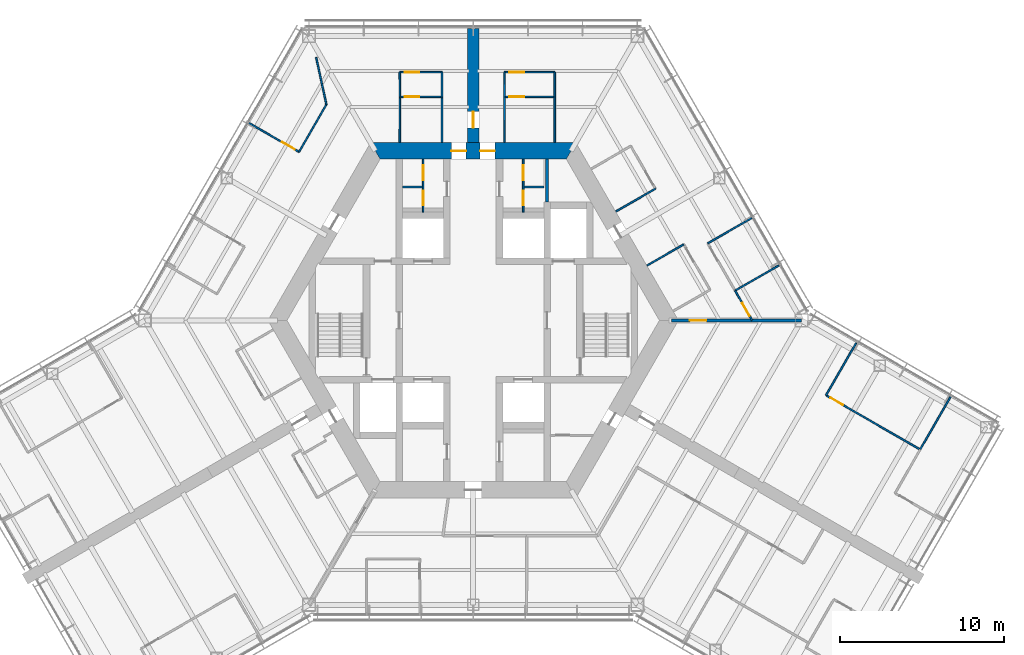
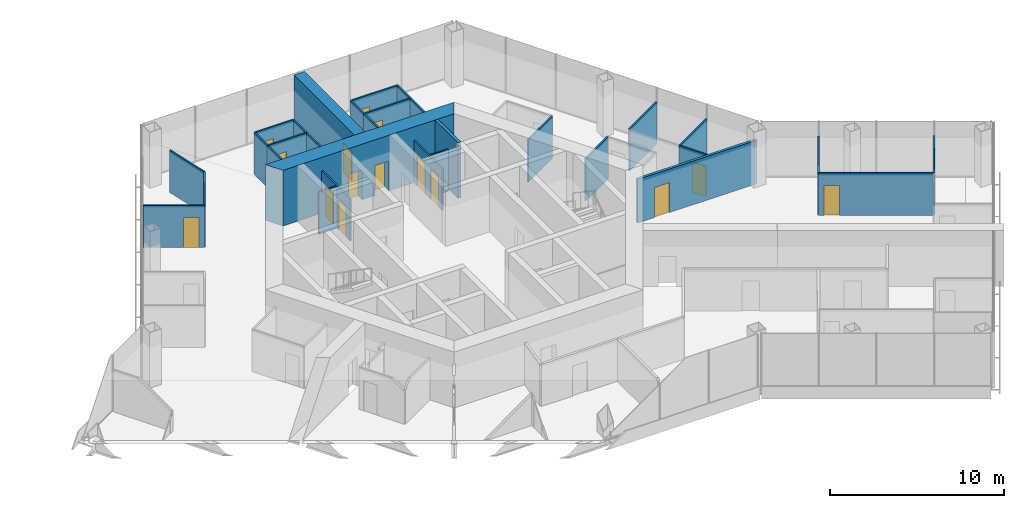
# One storey, part 14 of 18: 31 walls, 15 doors, 15 openings.
"""IFC4 building model written with IfcOpenShell, lengths in metres."""

from ifc_helpers import new_model, si_unit, direction, frame, frame_2d, origin, place, context, subcontext, project, spatial, polyline, rectangle, outline, extrude, material, layer, layer_set, type_object, element, fill, save


model = new_model("IFC4")

# Units and contexts
model_context = context("Model", 3, precision=1e-05, world=origin(), true_north=direction((0.0, 1.0)))
body_context = subcontext(model_context, "Body", "Model", "MODEL_VIEW")
ifc_project = project(units=[si_unit("LENGTHUNIT", "METRE"), si_unit("AREAUNIT", "SQUARE_METRE"), si_unit("VOLUMEUNIT", "CUBIC_METRE"), si_unit("PLANEANGLEUNIT", "RADIAN"), si_unit("MASSUNIT", "GRAM", prefix="KILO")], contexts=[model_context])

# Site, building, storey
site_placement = place(None, origin())
site = spatial("IfcSite", under=ifc_project, at=site_placement, CompositionType="ELEMENT")
building_placement = place(site_placement, origin())
building = spatial("IfcBuilding", under=site, at=building_placement, Name="Kasaneha Research Tower", CompositionType="ELEMENT")
storey_placement = place(building_placement, frame((0.0, 0.0, 168.199951171875)))
storey = spatial("IfcBuildingStorey", under=building, at=storey_placement, Name="L42", CompositionType="ELEMENT", Elevation=168.199951171875)

# Wall, openings, doors
ifc_material_1 = material(Name="Concrete Fc70", Category="concrete")
ifc_layer_1 = layer(ifc_material_1, 1.0)
ifc_layer_set_1 = layer_set([ifc_layer_1], Name="Core wall 1000 Fc70")
wall_type_1 = type_object("IfcWallType", Name="Core wall 1000 Fc70", PredefinedType="SHEAR", material=ifc_layer_set_1)
wall_1_placement = place(storey_placement, frame((5.961181640625, 10.324951171875, 0.0), z_axis=(0.0, 0.0, 1.0), x_axis=(-1.0, 0.0, 0.0)))
wall_1 = element("IfcWall", 1, at=wall_1_placement, inside=storey, type_object=wall_type_1, Name="Core wall 090 L42", PredefinedType="SHEAR", context=body_context, shape_type="SweptSolid", body=[
    extrude(outline(polyline([(-0.28857421875, -0.5), (4.63623046875, -0.5), (5.5361328125, -0.5), (6.38623046875, -0.5), (7.2861328125, -0.5), (12.2109375, -0.5), (11.6337890625, 0.5), (7.2861328125, 0.5), (6.38623046875, 0.5), (5.5361328125, 0.5), (4.63623046875, 0.5), (0.28857421875, 0.5), (-0.28857421875, -0.5)])), origin(), (0.0, 0.0, 1.0), 3.900146484375),
])
opening_1_placement = place(wall_1_placement, frame((6.38623046875, 0.0, 0.0)))
opening_1 = element("IfcOpeningElement", 2, at=opening_1_placement, cuts=wall_1, Name="Opening L42-D01", PredefinedType="OPENING", context=body_context, shape_type="SweptSolid", body=[
    extrude(rectangle(XDim=0.89990234375, YDim=2.10009765625, at=frame_2d((0.449951171875, 1.050048828125))), frame((0.0, 0.510009765625, 0.0), z_axis=(0.0, -1.0, 0.0), x_axis=(1.0, 0.0, 0.0)), (0.0, 0.0, 1.0), 1.02001953125),
])
opening_2_placement = place(wall_1_placement, frame((4.63623046875, 0.0, 0.0)))
opening_2 = element("IfcOpeningElement", 3, at=opening_2_placement, cuts=wall_1, Name="Opening L42-D02", PredefinedType="OPENING", context=body_context, shape_type="SweptSolid", body=[
    extrude(rectangle(XDim=0.89990234375, YDim=2.10009765625, at=frame_2d((0.449951171875, 1.050048828125))), frame((0.0, 0.510009765625, 0.0), z_axis=(0.0, -1.0, 0.0), x_axis=(1.0, 0.0, 0.0)), (0.0, 0.0, 1.0), 1.02001953125),
])
ifc_material_2 = material(Name="Steel", Category="steel")
door_type_1 = type_object("IfcDoorType", Name="Toilet door FD20 900x2100", OperationType="NOTDEFINED", PredefinedType="DOOR", material=ifc_material_2)
door_1_placement = place(opening_1_placement, origin())
door_1 = element("IfcDoor", 4, at=door_1_placement, inside=storey, type_object=door_type_1, Name="Core door north 1 L42-D01", OperationType="SINGLE_SWING_RIGHT", OverallHeight=2.10009765625, OverallWidth=0.89990234375, PredefinedType="DOOR", context=body_context, shape_type="SweptSolid", body=[
    extrude(rectangle(XDim=0.89990234375, YDim=2.10009765625, at=frame_2d((0.449951171875, 1.050048828125))), frame((0.0, 0.02490234375, 0.0), z_axis=(0.0, -1.0, 0.0), x_axis=(1.0, 0.0, 0.0)), (0.0, 0.0, 1.0), 0.050048828125),
])
fill(opening_1, door_1)
door_2_placement = place(opening_2_placement, origin())
door_2 = element("IfcDoor", 5, at=door_2_placement, inside=storey, type_object=door_type_1, Name="Core door north 2 L42-D02", OperationType="SINGLE_SWING_LEFT", OverallHeight=2.10009765625, OverallWidth=0.89990234375, PredefinedType="DOOR", context=body_context, shape_type="SweptSolid", body=[
    extrude(rectangle(XDim=0.89990234375, YDim=2.10009765625, at=frame_2d((0.449951171875, 1.050048828125))), frame((0.0, 0.02490234375, 0.0), z_axis=(0.0, -1.0, 0.0), x_axis=(1.0, 0.0, 0.0)), (0.0, 0.0, 1.0), 0.050048828125),
])
fill(opening_2, door_2)

ifc_material_3 = material(Name="Gypsum board on steel studs, one layer each side", Category="steel")
ifc_layer_2 = layer(ifc_material_3, 0.10009765625)
ifc_layer_set_2 = layer_set([ifc_layer_2], Name="Office partition 100")
wall_type_2 = type_object("IfcWallType", Name="Office partition 100", PredefinedType="PARTITIONING", material=ifc_layer_set_2)
wall_2_placement = place(storey_placement, frame((-3.050048828125, 6.60009765625, 0.0), z_axis=(0.0, 0.0, 1.0), x_axis=(0.0, 1.0, 0.0)))
wall_2 = element("IfcWall", 6, at=wall_2_placement, inside=storey, type_object=wall_type_2, Name="Office partition TBM1 L42", PredefinedType="PARTITIONING", context=body_context, shape_type="SweptSolid", body=[
    extrude(rectangle(XDim=3.224853515625, YDim=0.10009765625, at=frame_2d((1.6123046875, 0.0))), origin(), (0.0, 0.0, 1.0), 2.949951171875),
])
opening_3_placement = place(wall_2_placement, frame((1.949951171875, 0.0, 0.0)))
opening_3 = element("IfcOpeningElement", 7, at=opening_3_placement, cuts=wall_2, Name="Opening L42-D20", PredefinedType="OPENING", context=body_context, shape_type="SweptSolid", body=[
    extrude(rectangle(XDim=0.89990234375, YDim=2.10009765625, at=frame_2d((0.449951171875, 1.050048828125))), frame((0.0, 0.06005859375, 0.0), z_axis=(0.0, -1.0, 0.0), x_axis=(1.0, 0.0, 0.0)), (0.0, 0.0, 1.0), 0.1201171875),
])
opening_4_placement = place(wall_2_placement, frame((0.41259765625, 0.0, 0.0)))
opening_4 = element("IfcOpeningElement", 8, at=opening_4_placement, cuts=wall_2, Name="Opening L42-D21", PredefinedType="OPENING", context=body_context, shape_type="SweptSolid", body=[
    extrude(rectangle(XDim=0.89990234375, YDim=2.10009765625, at=frame_2d((0.449951171875, 1.050048828125))), frame((0.0, 0.06005859375, 0.0), z_axis=(0.0, -1.0, 0.0), x_axis=(1.0, 0.0, 0.0)), (0.0, 0.0, 1.0), 0.1201171875),
])
ifc_material_4 = material(Name="Steel", Category="steel")
door_type_2 = type_object("IfcDoorType", Name="Toilet lobby door FD30 900x2100", OperationType="NOTDEFINED", PredefinedType="DOOR", material=ifc_material_4)
door_3_placement = place(opening_3_placement, origin())
door_3 = element("IfcDoor", 9, at=door_3_placement, inside=storey, type_object=door_type_2, Name="Men's WC door L42-D20", OperationType="SINGLE_SWING_RIGHT", OverallHeight=2.10009765625, OverallWidth=0.89990234375, PredefinedType="DOOR", context=body_context, shape_type="SweptSolid", body=[
    extrude(rectangle(XDim=0.89990234375, YDim=2.10009765625, at=frame_2d((0.449951171875, 1.050048828125))), frame((0.0, 0.02490234375, 0.0), z_axis=(0.0, -1.0, 0.0), x_axis=(1.0, 0.0, 0.0)), (0.0, 0.0, 1.0), 0.050048828125),
])
fill(opening_3, door_3)
door_4_placement = place(opening_4_placement, origin())
door_4 = element("IfcDoor", 10, at=door_4_placement, inside=storey, type_object=door_type_2, Name="Staff WC door L42-D21", OperationType="SINGLE_SWING_RIGHT", OverallHeight=2.10009765625, OverallWidth=0.89990234375, PredefinedType="DOOR", context=body_context, shape_type="SweptSolid", body=[
    extrude(rectangle(XDim=0.89990234375, YDim=2.10009765625, at=frame_2d((0.449951171875, 1.050048828125))), frame((0.0, 0.02490234375, 0.0), z_axis=(0.0, -1.0, 0.0), x_axis=(1.0, 0.0, 0.0)), (0.0, 0.0, 1.0), 0.050048828125),
])
fill(opening_4, door_4)

# Wall
wall_3_placement = place(storey_placement, frame((-3.10009765625, 8.125, 0.0), z_axis=(0.0, 0.0, 1.0), x_axis=(-1.0, 0.0, 0.0)))
element("IfcWall", 11, at=wall_3_placement, inside=storey, type_object=wall_type_2, Name="Office partition TBM2 L42", PredefinedType="PARTITIONING", context=body_context, shape_type="SweptSolid", body=[
    extrude(rectangle(XDim=1.199951171875, YDim=0.10009765625, at=frame_2d((0.60009765625, 0.0))), origin(), (0.0, 0.0, 1.0), 2.949951171875),
])

# Wall, openings, doors
wall_4_placement = place(storey_placement, frame((3.050048828125, 6.60009765625, 0.0), z_axis=(0.0, 0.0, 1.0), x_axis=(0.0, 1.0, 0.0)))
wall_4 = element("IfcWall", 12, at=wall_4_placement, inside=storey, type_object=wall_type_2, Name="Office partition TBF1 L42", PredefinedType="PARTITIONING", context=body_context, shape_type="SweptSolid", body=[
    extrude(rectangle(XDim=3.224853515625, YDim=0.10009765625, at=frame_2d((1.6123046875, 0.0))), origin(), (0.0, 0.0, 1.0), 2.949951171875),
])
opening_5_placement = place(wall_4_placement, frame((1.949951171875, 0.0, 0.0)))
opening_5 = element("IfcOpeningElement", 13, at=opening_5_placement, cuts=wall_4, Name="Opening L42-D22", PredefinedType="OPENING", context=body_context, shape_type="SweptSolid", body=[
    extrude(rectangle(XDim=0.89990234375, YDim=2.10009765625, at=frame_2d((0.449951171875, 1.050048828125))), frame((0.0, 0.06005859375, 0.0), z_axis=(0.0, -1.0, 0.0), x_axis=(1.0, 0.0, 0.0)), (0.0, 0.0, 1.0), 0.1201171875),
])
opening_6_placement = place(wall_4_placement, frame((0.41259765625, 0.0, 0.0)))
opening_6 = element("IfcOpeningElement", 14, at=opening_6_placement, cuts=wall_4, Name="Opening L42-D23", PredefinedType="OPENING", context=body_context, shape_type="SweptSolid", body=[
    extrude(rectangle(XDim=0.89990234375, YDim=2.10009765625, at=frame_2d((0.449951171875, 1.050048828125))), frame((0.0, 0.06005859375, 0.0), z_axis=(0.0, -1.0, 0.0), x_axis=(1.0, 0.0, 0.0)), (0.0, 0.0, 1.0), 0.1201171875),
])
door_5_placement = place(opening_5_placement, origin())
door_5 = element("IfcDoor", 15, at=door_5_placement, inside=storey, type_object=door_type_2, Name="Women's WC door L42-D22", OperationType="SINGLE_SWING_RIGHT", OverallHeight=2.10009765625, OverallWidth=0.89990234375, PredefinedType="DOOR", context=body_context, shape_type="SweptSolid", body=[
    extrude(rectangle(XDim=0.89990234375, YDim=2.10009765625, at=frame_2d((0.449951171875, 1.050048828125))), frame((0.0, 0.02490234375, 0.0), z_axis=(0.0, -1.0, 0.0), x_axis=(1.0, 0.0, 0.0)), (0.0, 0.0, 1.0), 0.050048828125),
])
fill(opening_5, door_5)
door_6_placement = place(opening_6_placement, origin())
door_6 = element("IfcDoor", 16, at=door_6_placement, inside=storey, type_object=door_type_2, Name="Cleaner's store door L42-D23", OperationType="SINGLE_SWING_RIGHT", OverallHeight=2.10009765625, OverallWidth=0.89990234375, PredefinedType="DOOR", context=body_context, shape_type="SweptSolid", body=[
    extrude(rectangle(XDim=0.89990234375, YDim=2.10009765625, at=frame_2d((0.449951171875, 1.050048828125))), frame((0.0, 0.02490234375, 0.0), z_axis=(0.0, -1.0, 0.0), x_axis=(1.0, 0.0, 0.0)), (0.0, 0.0, 1.0), 0.050048828125),
])
fill(opening_6, door_6)

# Wall
wall_5_placement = place(storey_placement, frame((3.10009765625, 8.125, 0.0), z_axis=(0.0, 0.0, 1.0), x_axis=(1.0, 0.0, 0.0)))
element("IfcWall", 17, at=wall_5_placement, inside=storey, type_object=wall_type_2, Name="Office partition TBF2 L42", PredefinedType="PARTITIONING", context=body_context, shape_type="SweptSolid", body=[
    extrude(rectangle(XDim=1.199951171875, YDim=0.10009765625, at=frame_2d((0.60009765625, 0.0))), origin(), (0.0, 0.0, 1.0), 2.949951171875),
])

# Wall, opening, door
wall_6_placement = place(storey_placement, frame((1.89990234375, 13.6201171875, 0.0), z_axis=(0.0, 0.0, 1.0), x_axis=(1.0, 0.0, 0.0)))
wall_6 = element("IfcWall", 18, at=wall_6_placement, inside=storey, type_object=wall_type_2, Name="Office partition FAE01 L42", PredefinedType="PARTITIONING", context=body_context, shape_type="SweptSolid", body=[
    extrude(rectangle(XDim=3.071044921875, YDim=0.10009765625, at=frame_2d((1.53564453125, 0.0))), origin(), (0.0, 0.0, 1.0), 2.949951171875),
])
opening_7_placement = place(wall_6_placement, frame((0.300048828125, 0.0, 0.0)))
opening_7 = element("IfcOpeningElement", 19, at=opening_7_placement, cuts=wall_6, Name="Opening L42-D27", PredefinedType="OPENING", context=body_context, shape_type="SweptSolid", body=[
    extrude(rectangle(XDim=0.89990234375, YDim=2.10009765625, at=frame_2d((0.449951171875, 1.050048828125))), frame((0.0, 0.06005859375, 0.0), z_axis=(0.0, -1.0, 0.0), x_axis=(1.0, 0.0, 0.0)), (0.0, 0.0, 1.0), 0.1201171875),
])
door_7_placement = place(opening_7_placement, origin())
door_7 = element("IfcDoor", 20, at=door_7_placement, inside=storey, type_object=door_type_2, Name="Women's WC door L42-D27", OperationType="SINGLE_SWING_LEFT", OverallHeight=2.10009765625, OverallWidth=0.89990234375, PredefinedType="DOOR", context=body_context, shape_type="SweptSolid", body=[
    extrude(rectangle(XDim=0.89990234375, YDim=2.10009765625, at=frame_2d((0.449951171875, 1.050048828125))), frame((0.0, 0.02490234375, 0.0), z_axis=(0.0, -1.0, 0.0), x_axis=(1.0, 0.0, 0.0)), (0.0, 0.0, 1.0), 0.050048828125),
])
fill(opening_7, door_7)

# Walls
for number, where, z_axis, x_axis, name in (
    (21, (1.89990234375, 10.844970703125, 0.0), (0.0, 0.0, 1.0), (0.001668567099, 0.999998607941, 0.0), "Office partition FAE02 L42"),
    (22, (4.96630859375, 13.625, 0.0), (0.0, 0.0, 1.0), (0.001668567099, -0.999998607941, 0.0), "Office partition FAE03 L42"),
):
    element("IfcWall", number, at=place(storey_placement, frame(where, z_axis=z_axis, x_axis=x_axis)), inside=storey, type_object=wall_type_2, Name=name, PredefinedType="PARTITIONING", context=body_context, shape_type="SweptSolid", body=[
        extrude(rectangle(XDim=2.780029296875, YDim=0.10009765625, at=frame_2d((1.39013671875, 0.0))), origin(), (0.0, 0.0, 1.0), 2.949951171875),
    ])

# Wall, opening, door
wall_7_placement = place(storey_placement, frame((1.89990234375, 15.125, 0.0), z_axis=(0.0, 0.0, 1.0), x_axis=(1.0, 0.0, 0.0)))
wall_7 = element("IfcWall", 23, at=wall_7_placement, inside=storey, type_object=wall_type_2, Name="Office partition FAE04 L42", PredefinedType="PARTITIONING", context=body_context, shape_type="SweptSolid", body=[
    extrude(rectangle(XDim=3.071044921875, YDim=0.10009765625, at=frame_2d((1.53564453125, 0.0))), origin(), (0.0, 0.0, 1.0), 2.949951171875),
])
opening_8_placement = place(wall_7_placement, frame((0.300048828125, 0.0, 0.0)))
opening_8 = element("IfcOpeningElement", 24, at=opening_8_placement, cuts=wall_7, Name="Opening L42-D28", PredefinedType="OPENING", context=body_context, shape_type="SweptSolid", body=[
    extrude(rectangle(XDim=0.89990234375, YDim=2.10009765625, at=frame_2d((0.449951171875, 1.050048828125))), frame((0.0, 0.06005859375, 0.0), z_axis=(0.0, -1.0, 0.0), x_axis=(1.0, 0.0, 0.0)), (0.0, 0.0, 1.0), 0.1201171875),
])
door_8_placement = place(opening_8_placement, origin())
door_8 = element("IfcDoor", 25, at=door_8_placement, inside=storey, type_object=door_type_2, Name="Toilet lobby door L42-D28", OperationType="SINGLE_SWING_LEFT", OverallHeight=2.10009765625, OverallWidth=0.89990234375, PredefinedType="DOOR", context=body_context, shape_type="SweptSolid", body=[
    extrude(rectangle(XDim=0.89990234375, YDim=2.10009765625, at=frame_2d((0.449951171875, 1.050048828125))), frame((0.0, 0.02490234375, 0.0), z_axis=(0.0, -1.0, 0.0), x_axis=(1.0, 0.0, 0.0)), (0.0, 0.0, 1.0), 0.050048828125),
])
fill(opening_8, door_8)

# Walls
for number, where, z_axis, x_axis, name in (
    (26, (1.904541015625, 13.625, 0.0), (0.0, 0.0, 1.0), (-0.00309243313, 0.999995218417, 0.0), "Office partition FAE05 L42"),
    (27, (4.970947265625, 15.125, 0.0), (0.0, 0.0, 1.0), (-0.00309243313, -0.999995218417, 0.0), "Office partition FAE06 L42"),
):
    element("IfcWall", number, at=place(storey_placement, frame(where, z_axis=z_axis, x_axis=x_axis)), inside=storey, type_object=wall_type_2, Name=name, PredefinedType="PARTITIONING", context=body_context, shape_type="SweptSolid", body=[
        extrude(rectangle(XDim=1.5, YDim=0.10009765625, at=frame_2d((0.75, 0.0))), origin(), (0.0, 0.0, 1.0), 2.949951171875),
    ])
wall_8_placement = place(storey_placement, frame((11.099609375, 8.02490234375, 0.0), z_axis=(0.0, 0.0, 1.0), x_axis=(-0.866056901187, -0.49994544093, 0.0)))
element("IfcWall", 28, at=wall_8_placement, inside=storey, type_object=wall_type_2, Name="Office partition FAE09 L42", PredefinedType="PARTITIONING", context=body_context, shape_type="SweptSolid", body=[
    extrude(rectangle(XDim=2.780029296875, YDim=0.10009765625, at=frame_2d((1.39013671875, 0.0))), origin(), (0.0, 0.0, 1.0), 2.949951171875),
])
wall_9_placement = place(storey_placement, frame((10.592041015625, 3.343994140625, 0.0), z_axis=(0.0, 0.0, 1.0), x_axis=(0.866021702275, 0.500006411147, 0.0)))
element("IfcWall", 29, at=wall_9_placement, inside=storey, type_object=wall_type_2, Name="Office partition FAE10 L42", PredefinedType="PARTITIONING", context=body_context, shape_type="SweptSolid", body=[
    extrude(rectangle(XDim=2.580078125, YDim=0.10009765625, at=frame_2d((1.2900390625, 0.0))), origin(), (0.0, 0.0, 1.0), 2.949951171875),
])
wall_10_placement = place(storey_placement, frame((18.619873046875, 3.3505859375, 0.0), z_axis=(0.0, 0.0, 1.0), x_axis=(-0.866810383216, -0.498637904244, 0.0)))
element("IfcWall", 30, at=wall_10_placement, inside=storey, type_object=wall_type_2, Name="Office partition FAE13 L42", PredefinedType="PARTITIONING", context=body_context, shape_type="SweptSolid", body=[
    extrude(rectangle(XDim=3.080078125, YDim=0.10009765625, at=frame_2d((1.5400390625, 0.0))), origin(), (0.0, 0.0, 1.0), 2.949951171875),
])
wall_11_placement = place(storey_placement, frame((14.287109375, 4.6953125, 0.0), z_axis=(0.0, 0.0, 1.0), x_axis=(0.866023220135, 0.500003782172, 0.0)))
element("IfcWall", 31, at=wall_11_placement, inside=storey, type_object=wall_type_2, Name="Office partition FAE14 L42", PredefinedType="PARTITIONING", context=body_context, shape_type="SweptSolid", body=[
    extrude(rectangle(XDim=3.10498046875, YDim=0.10009765625, at=frame_2d((1.552490234375, 0.0))), origin(), (0.0, 0.0, 1.0), 2.949951171875),
])

# Wall, opening, door
wall_12_placement = place(storey_placement, frame((16.986083984375, 0.02001953125, 0.0), z_axis=(0.0, 0.0, 1.0), x_axis=(-0.498096123952, 0.867121820337, 0.0)))
wall_12 = element("IfcWall", 32, at=wall_12_placement, inside=storey, type_object=wall_type_2, Name="Office partition FAE16 L42", PredefinedType="PARTITIONING", context=body_context, shape_type="SweptSolid", body=[
    extrude(rectangle(XDim=2.0673828125, YDim=0.10009765625, at=frame_2d((1.03369140625, 0.0))), origin(), (0.0, 0.0, 1.0), 2.949951171875),
])
opening_9_placement = place(wall_12_placement, frame((0.300048828125, 0.0, 0.0)))
opening_9 = element("IfcOpeningElement", 33, at=opening_9_placement, cuts=wall_12, Name="Opening L42-D32", PredefinedType="OPENING", context=body_context, shape_type="SweptSolid", body=[
    extrude(rectangle(XDim=0.89990234375, YDim=2.10009765625, at=frame_2d((0.449951171875, 1.050048828125))), frame((0.0, 0.06005859375, 0.0), z_axis=(0.0, -1.0, 0.0), x_axis=(1.0, 0.0, 0.0)), (0.0, 0.0, 1.0), 0.1201171875),
])
ifc_material_5 = material(Name="Timber veneer", Category="wood")
door_type_3 = type_object("IfcDoorType", Name="Office door 900x2100", OperationType="SINGLE_SWING_LEFT", PredefinedType="DOOR", material=ifc_material_5)
door_9_placement = place(opening_9_placement, origin())
door_9 = element("IfcDoor", 34, at=door_9_placement, inside=storey, type_object=door_type_3, Name="Phone room door L42-D32", OperationType="SINGLE_SWING_LEFT", OverallHeight=2.10009765625, OverallWidth=0.89990234375, PredefinedType="DOOR", context=body_context, shape_type="SweptSolid", body=[
    extrude(rectangle(XDim=0.89990234375, YDim=2.10009765625, at=frame_2d((0.449951171875, 1.050048828125))), frame((0.0, 0.02490234375, 0.0), z_axis=(0.0, -1.0, 0.0), x_axis=(1.0, 0.0, 0.0)), (0.0, 0.0, 1.0), 0.050048828125),
])
fill(opening_9, door_9)

wall_13_placement = place(storey_placement, frame((-4.470947265625, 13.6201171875, 0.0), z_axis=(0.0, 0.0, 1.0), x_axis=(1.0, 0.0, 0.0)))
wall_13 = element("IfcWall", 35, at=wall_13_placement, inside=storey, type_object=wall_type_2, Name="Office partition FAW01 L42", PredefinedType="PARTITIONING", context=body_context, shape_type="SweptSolid", body=[
    extrude(rectangle(XDim=2.571044921875, YDim=0.10009765625, at=frame_2d((1.28564453125, 0.0))), origin(), (0.0, 0.0, 1.0), 2.949951171875),
])
opening_10_placement = place(wall_13_placement, frame((0.300048828125, 0.0, 0.0)))
opening_10 = element("IfcOpeningElement", 36, at=opening_10_placement, cuts=wall_13, Name="Opening L42-D33", PredefinedType="OPENING", context=body_context, shape_type="SweptSolid", body=[
    extrude(rectangle(XDim=0.89990234375, YDim=2.10009765625, at=frame_2d((0.449951171875, 1.050048828125))), frame((0.0, 0.06005859375, 0.0), z_axis=(0.0, -1.0, 0.0), x_axis=(1.0, 0.0, 0.0)), (0.0, 0.0, 1.0), 0.1201171875),
])
door_10_placement = place(opening_10_placement, origin())
door_10 = element("IfcDoor", 37, at=door_10_placement, inside=storey, type_object=door_type_2, Name="Men's WC door L42-D33", OperationType="SINGLE_SWING_LEFT", OverallHeight=2.10009765625, OverallWidth=0.89990234375, PredefinedType="DOOR", context=body_context, shape_type="SweptSolid", body=[
    extrude(rectangle(XDim=0.89990234375, YDim=2.10009765625, at=frame_2d((0.449951171875, 1.050048828125))), frame((0.0, 0.02490234375, 0.0), z_axis=(0.0, -1.0, 0.0), x_axis=(1.0, 0.0, 0.0)), (0.0, 0.0, 1.0), 0.050048828125),
])
fill(opening_10, door_10)

# Walls
for number, where, z_axis, x_axis, name in (
    (38, (-4.470947265625, 10.844970703125, 0.0), (0.0, 0.0, 1.0), (0.001668567099, 0.999998607941, 0.0), "Office partition FAW02 L42"),
    (39, (-1.90478515625, 13.625, 0.0), (0.0, 0.0, 1.0), (0.001756386155, -0.999998457553, 0.0), "Office partition FAW03 L42"),
):
    element("IfcWall", number, at=place(storey_placement, frame(where, z_axis=z_axis, x_axis=x_axis)), inside=storey, type_object=wall_type_2, Name=name, PredefinedType="PARTITIONING", context=body_context, shape_type="SweptSolid", body=[
        extrude(rectangle(XDim=2.780029296875, YDim=0.10009765625, at=frame_2d((1.39013671875, 0.0))), origin(), (0.0, 0.0, 1.0), 2.949951171875),
    ])

# Wall, opening, door
wall_14_placement = place(storey_placement, frame((-4.470947265625, 15.125, 0.0), z_axis=(0.0, 0.0, 1.0), x_axis=(1.0, 0.0, 0.0)))
wall_14 = element("IfcWall", 40, at=wall_14_placement, inside=storey, type_object=wall_type_2, Name="Office partition FAW04 L42", PredefinedType="PARTITIONING", context=body_context, shape_type="SweptSolid", body=[
    extrude(rectangle(XDim=2.571044921875, YDim=0.10009765625, at=frame_2d((1.28564453125, 0.0))), origin(), (0.0, 0.0, 1.0), 2.949951171875),
])
opening_11_placement = place(wall_14_placement, frame((0.300048828125, 0.0, 0.0)))
opening_11 = element("IfcOpeningElement", 41, at=opening_11_placement, cuts=wall_14, Name="Opening L42-D34", PredefinedType="OPENING", context=body_context, shape_type="SweptSolid", body=[
    extrude(rectangle(XDim=0.89990234375, YDim=2.10009765625, at=frame_2d((0.449951171875, 1.050048828125))), frame((0.0, 0.06005859375, 0.0), z_axis=(0.0, -1.0, 0.0), x_axis=(1.0, 0.0, 0.0)), (0.0, 0.0, 1.0), 0.1201171875),
])
door_11_placement = place(opening_11_placement, origin())
door_11 = element("IfcDoor", 42, at=door_11_placement, inside=storey, type_object=door_type_2, Name="Toilet lobby door L42-D34", OperationType="SINGLE_SWING_LEFT", OverallHeight=2.10009765625, OverallWidth=0.89990234375, PredefinedType="DOOR", context=body_context, shape_type="SweptSolid", body=[
    extrude(rectangle(XDim=0.89990234375, YDim=2.10009765625, at=frame_2d((0.449951171875, 1.050048828125))), frame((0.0, 0.02490234375, 0.0), z_axis=(0.0, -1.0, 0.0), x_axis=(1.0, 0.0, 0.0)), (0.0, 0.0, 1.0), 0.050048828125),
])
fill(opening_11, door_11)

# Walls
for number, where, z_axis, x_axis, name in (
    (43, (-4.46630859375, 13.625, 0.0), (0.0, 0.0, 1.0), (-0.00309243313, 0.999995218417, 0.0), "Office partition FAW05 L42"),
    (44, (-1.89990234375, 15.125, 0.0), (0.0, 0.0, 1.0), (-0.003255191087, -0.999994701851, 0.0), "Office partition FAW06 L42"),
):
    element("IfcWall", number, at=place(storey_placement, frame(where, z_axis=z_axis, x_axis=x_axis)), inside=storey, type_object=wall_type_2, Name=name, PredefinedType="PARTITIONING", context=body_context, shape_type="SweptSolid", body=[
        extrude(rectangle(XDim=1.5, YDim=0.10009765625, at=frame_2d((0.75, 0.0))), origin(), (0.0, 0.0, 1.0), 2.949951171875),
    ])

# Wall, opening, door
wall_15_placement = place(storey_placement, frame((-10.609619140625, 10.264404296875, 0.0), z_axis=(0.0, 0.0, 1.0), x_axis=(-0.86601282795, 0.500021781351, 0.0)))
wall_15 = element("IfcWall", 45, at=wall_15_placement, inside=storey, type_object=wall_type_2, Name="Office partition FBN01 L42", PredefinedType="PARTITIONING", context=body_context, shape_type="SweptSolid", body=[
    extrude(rectangle(XDim=3.530029296875, YDim=0.10009765625, at=frame_2d((1.76513671875, 0.0))), origin(), (0.0, 0.0, 1.0), 2.949951171875),
])
opening_12_placement = place(wall_15_placement, frame((0.300048828125, 0.0, 0.0)))
opening_12 = element("IfcOpeningElement", 46, at=opening_12_placement, cuts=wall_15, Name="Opening L42-D35", PredefinedType="OPENING", context=body_context, shape_type="SweptSolid", body=[
    extrude(rectangle(XDim=0.89990234375, YDim=2.10009765625, at=frame_2d((0.449951171875, 1.050048828125))), frame((0.0, 0.06005859375, 0.0), z_axis=(0.0, -1.0, 0.0), x_axis=(1.0, 0.0, 0.0)), (0.0, 0.0, 1.0), 0.1201171875),
])
door_12_placement = place(opening_12_placement, origin())
door_12 = element("IfcDoor", 47, at=door_12_placement, inside=storey, type_object=door_type_3, Name="Reception room door L42-D35", OperationType="SINGLE_SWING_LEFT", OverallHeight=2.10009765625, OverallWidth=0.89990234375, PredefinedType="DOOR", context=body_context, shape_type="SweptSolid", body=[
    extrude(rectangle(XDim=0.89990234375, YDim=2.10009765625, at=frame_2d((0.449951171875, 1.050048828125))), frame((0.0, 0.02490234375, 0.0), z_axis=(0.0, -1.0, 0.0), x_axis=(1.0, 0.0, 0.0)), (0.0, 0.0, 1.0), 0.050048828125),
])
fill(opening_12, door_12)

# Walls
wall_16_placement = place(storey_placement, frame((-9.56396484375, 16.02392578125, 0.0), z_axis=(0.0, 0.0, 1.0), x_axis=(0.211116290139, -0.977460951669, 0.0)))
element("IfcWall", 48, at=wall_16_placement, inside=storey, type_object=wall_type_2, Name="Office partition FBN02 L42", PredefinedType="PARTITIONING", context=body_context, shape_type="SweptSolid", body=[
    extrude(rectangle(XDim=2.940673828125, YDim=0.10009765625, at=frame_2d((1.47021484375, 0.0))), origin(), (0.0, 0.0, 1.0), 2.949951171875),
])
wall_17_placement = place(storey_placement, frame((-8.943115234375, 13.1494140625, 0.0), z_axis=(0.0, 0.0, 1.0), x_axis=(-0.500189695295, -0.86591585545, 0.0)))
element("IfcWall", 49, at=wall_17_placement, inside=storey, type_object=wall_type_2, Name="Office partition FBN03 L42", PredefinedType="PARTITIONING", context=body_context, shape_type="SweptSolid", body=[
    extrude(rectangle(XDim=3.331787109375, YDim=0.10009765625, at=frame_2d((1.666015625, 0.0))), origin(), (0.0, 0.0, 1.0), 2.949951171875),
])
wall_18_placement = place(storey_placement, frame((29.077392578125, -4.65771484375, 0.0), z_axis=(0.0, 0.0, 1.0), x_axis=(-0.501275229052, -0.865287897026, 0.0)))
element("IfcWall", 50, at=wall_18_placement, inside=storey, type_object=wall_type_2, Name="Office partition FCE01 L42", PredefinedType="PARTITIONING", context=body_context, shape_type="SweptSolid", body=[
    extrude(rectangle(XDim=3.704833984375, YDim=0.10009765625, at=frame_2d((1.8525390625, 0.0))), origin(), (0.0, 0.0, 1.0), 2.949951171875),
])
wall_19_placement = place(storey_placement, frame((21.4921875, -4.556640625, 0.0), z_axis=(0.0, 0.0, 1.0), x_axis=(0.500013413428, 0.866017659399, 0.0)))
element("IfcWall", 51, at=wall_19_placement, inside=storey, type_object=wall_type_2, Name="Office partition FCE02 L42", PredefinedType="PARTITIONING", context=body_context, shape_type="SweptSolid", body=[
    extrude(rectangle(XDim=3.68017578125, YDim=0.10009765625, at=frame_2d((1.840087890625, 0.0))), origin(), (0.0, 0.0, 1.0), 2.949951171875),
])

# Wall, opening, door
wall_20_placement = place(storey_placement, frame((27.22705078125, -7.86279296875, 0.0), z_axis=(0.0, 0.0, 1.0), x_axis=(-0.866343956507, 0.499447844147, 0.0)))
wall_20 = element("IfcWall", 52, at=wall_20_placement, inside=storey, type_object=wall_type_2, Name="Office partition FCE03 L42", PredefinedType="PARTITIONING", context=body_context, shape_type="SweptSolid", body=[
    extrude(rectangle(XDim=6.61962890625, YDim=0.10009765625, at=frame_2d((3.309814453125, 0.0))), origin(), (0.0, 0.0, 1.0), 2.949951171875),
])
opening_13_placement = place(wall_20_placement, frame((5.419677734375, 0.0, 0.0)))
opening_13 = element("IfcOpeningElement", 53, at=opening_13_placement, cuts=wall_20, Name="Opening L42-D42", PredefinedType="OPENING", context=body_context, shape_type="SweptSolid", body=[
    extrude(rectangle(XDim=0.89990234375, YDim=2.10009765625, at=frame_2d((0.449951171875, 1.050048828125))), frame((0.0, 0.06005859375, 0.0), z_axis=(0.0, -1.0, 0.0), x_axis=(1.0, 0.0, 0.0)), (0.0, 0.0, 1.0), 0.1201171875),
])
door_13_placement = place(opening_13_placement, origin())
door_13 = element("IfcDoor", 54, at=door_13_placement, inside=storey, type_object=door_type_3, Name="Project room door L42-D42", OperationType="SINGLE_SWING_RIGHT", OverallHeight=2.10009765625, OverallWidth=0.89990234375, PredefinedType="DOOR", context=body_context, shape_type="SweptSolid", body=[
    extrude(rectangle(XDim=0.89990234375, YDim=2.10009765625, at=frame_2d((0.449951171875, 1.050048828125))), frame((0.0, 0.02490234375, 0.0), z_axis=(0.0, -1.0, 0.0), x_axis=(1.0, 0.0, 0.0)), (0.0, 0.0, 1.0), 0.050048828125),
])
fill(opening_13, door_13)

# Wall
ifc_material_6 = material(Name="Concrete block", Category="concrete")
ifc_layer_3 = layer(ifc_material_6, 0.199951171875)
ifc_layer_set_3 = layer_set([ifc_layer_3], Name="Riser enclosure wall 200")
wall_type_3 = type_object("IfcWallType", Name="Riser enclosure wall 200", PredefinedType="STANDARD", material=ifc_layer_set_3)
wall_21_placement = place(storey_placement, frame((4.5, 7.199951171875, 0.0), z_axis=(0.0, 0.0, 1.0), x_axis=(0.0, 1.0, 0.0)))
element("IfcWall", 55, at=wall_21_placement, inside=storey, type_object=wall_type_3, Name="Riser enclosure wall L42", PredefinedType="STANDARD", context=body_context, shape_type="SweptSolid", body=[
    extrude(rectangle(XDim=2.625, YDim=0.199951171875, at=frame_2d((1.3125, 0.0))), origin(), (0.0, 0.0, 1.0), 3.900146484375),
])

# Wall, opening, door
ifc_material_7 = material(Name="Concrete Fc70", Category="concrete")
ifc_layer_4 = layer(ifc_material_7, 0.699951171875)
ifc_layer_set_4 = layer_set([ifc_layer_4], Name="Spine wall 700 Fc70")
wall_type_4 = type_object("IfcWallType", Name="Spine wall 700 Fc70", PredefinedType="SHEAR", material=ifc_layer_set_4)
wall_22_placement = place(storey_placement, frame((0.0, 10.824951171875, 0.0), z_axis=(0.0, 0.0, 1.0), x_axis=(0.0, 1.0, 0.0)))
wall_22 = element("IfcWall", 56, at=wall_22_placement, inside=storey, type_object=wall_type_4, Name="Spine wall A L42", PredefinedType="SHEAR", context=body_context, shape_type="SweptSolid", body=[
    extrude(rectangle(XDim=6.945556640625, YDim=0.699951171875, at=frame_2d((3.47265625, 0.0))), origin(), (0.0, 0.0, 1.0), 3.900146484375),
])
opening_14_placement = place(wall_22_placement, frame((0.89990234375, 0.0, 0.0)))
opening_14 = element("IfcOpeningElement", 57, at=opening_14_placement, cuts=wall_22, Name="Opening L42-D17", PredefinedType="OPENING", context=body_context, shape_type="SweptSolid", body=[
    extrude(rectangle(XDim=1.0, YDim=2.10009765625, at=frame_2d((0.5, 1.050048828125))), frame((0.0, 0.35986328125, 0.0), z_axis=(0.0, -1.0, 0.0), x_axis=(1.0, 0.0, 0.0)), (0.0, 0.0, 1.0), 0.719970703125),
])
ifc_material_8 = material(Name="Steel", Category="steel")
door_type_4 = type_object("IfcDoorType", Name="Specified fire door FD60 1000x2100", OperationType="NOTDEFINED", PredefinedType="DOOR", material=ifc_material_8)
door_14_placement = place(opening_14_placement, origin())
door_14 = element("IfcDoor", 58, at=door_14_placement, inside=storey, type_object=door_type_4, Name="Spine doorway A L42-D17", OperationType="SINGLE_SWING_LEFT", OverallHeight=2.10009765625, OverallWidth=1.0, PredefinedType="DOOR", context=body_context, shape_type="SweptSolid", body=[
    extrude(rectangle(XDim=1.0, YDim=2.10009765625, at=frame_2d((0.5, 1.050048828125))), frame((0.0, 0.02490234375, 0.0), z_axis=(0.0, -1.0, 0.0), x_axis=(1.0, 0.0, 0.0)), (0.0, 0.0, 1.0), 0.050048828125),
])
fill(opening_14, door_14)

ifc_material_9 = material(Name="Gypsum board on steel studs, two layers each side", Category="steel")
ifc_layer_5 = layer(ifc_material_9, 0.175048828125)
ifc_layer_set_5 = layer_set([ifc_layer_5], Name="Tenancy fire partition 175")
wall_type_5 = type_object("IfcWallType", Name="Tenancy fire partition 175", PredefinedType="PARTITIONING", material=ifc_layer_set_5)
wall_23_placement = place(storey_placement, frame((12.069580078125, 0.0, 0.0), z_axis=(0.0, 0.0, 1.0), x_axis=(1.0, 0.0, 0.0)))
wall_23 = element("IfcWall", 59, at=wall_23_placement, inside=storey, type_object=wall_type_5, Name="Tenancy fire partition T000 L42", PredefinedType="PARTITIONING", context=body_context, shape_type="SweptSolid", body=[
    extrude(rectangle(XDim=7.930419921875, YDim=0.175048828125, at=frame_2d((3.96533203125, 0.0))), origin(), (0.0, 0.0, 1.0), 3.050048828125),
])
opening_15_placement = place(wall_23_placement, frame((1.1298828125, 0.0, 0.0)))
opening_15 = element("IfcOpeningElement", 60, at=opening_15_placement, cuts=wall_23, Name="Opening L42-D25", PredefinedType="OPENING", context=body_context, shape_type="SweptSolid", body=[
    extrude(rectangle(XDim=1.0, YDim=2.10009765625, at=frame_2d((0.5, 1.050048828125))), frame((0.0, 0.09765625, 0.0), z_axis=(0.0, -1.0, 0.0), x_axis=(1.0, 0.0, 0.0)), (0.0, 0.0, 1.0), 0.195068359375),
])
ifc_material_10 = material(Name="Steel", Category="steel")
door_type_5 = type_object("IfcDoorType", Name="Suite entrance door FD60 1000x2100", OperationType="NOTDEFINED", PredefinedType="DOOR", material=ifc_material_10)
door_15_placement = place(opening_15_placement, origin())
door_15 = element("IfcDoor", 61, at=door_15_placement, inside=storey, type_object=door_type_5, Name="Connecting door L42-D25", OperationType="SINGLE_SWING_LEFT", OverallHeight=2.10009765625, OverallWidth=1.0, PredefinedType="DOOR", context=body_context, shape_type="SweptSolid", body=[
    extrude(rectangle(XDim=1.0, YDim=2.10009765625, at=frame_2d((0.5, 1.050048828125))), frame((0.0, 0.02490234375, 0.0), z_axis=(0.0, -1.0, 0.0), x_axis=(1.0, 0.0, 0.0)), (0.0, 0.0, 1.0), 0.050048828125),
])
fill(opening_15, door_15)

save(model, "model.ifc")
